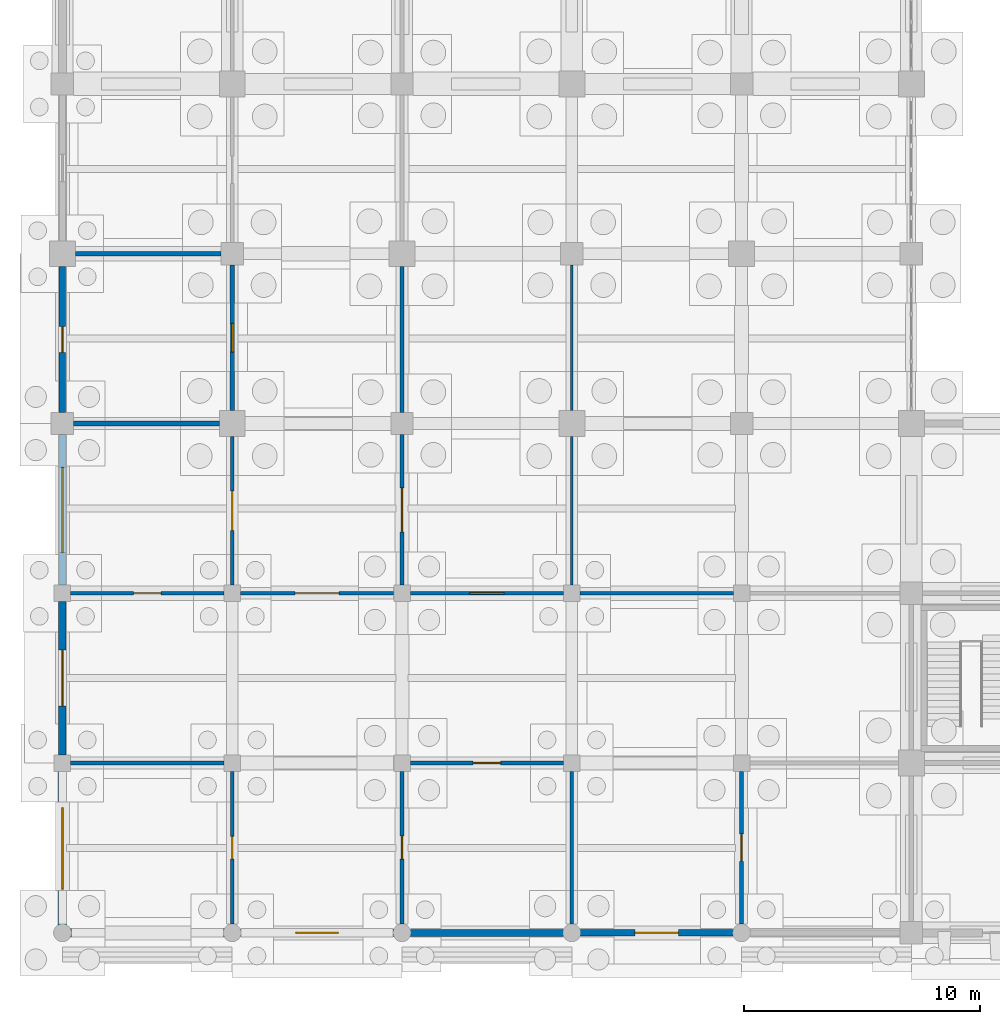
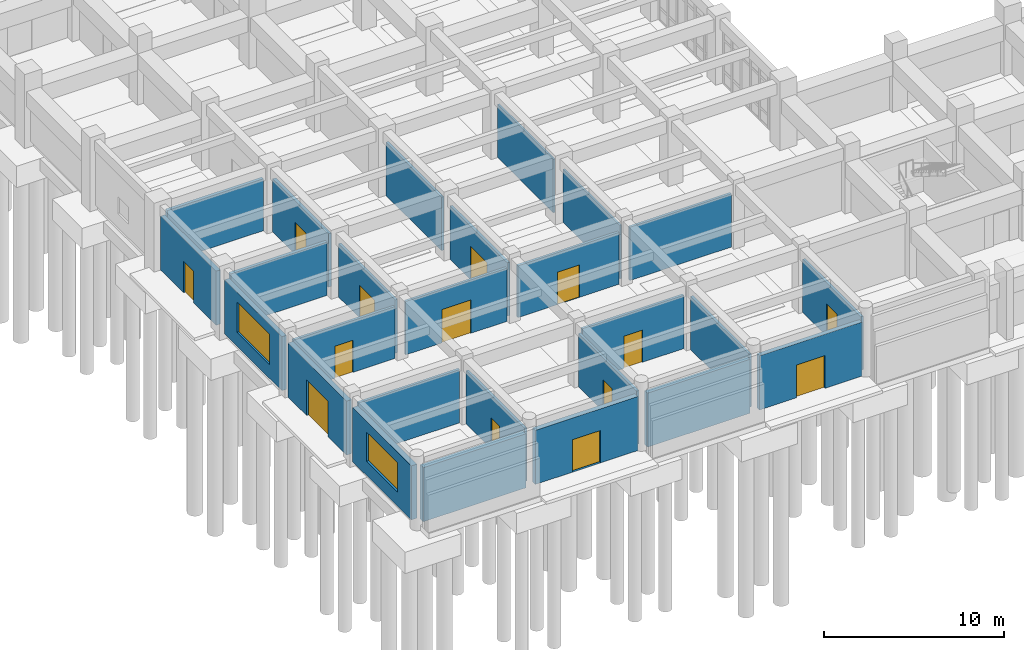
# One storey, part 56 of 79: 26 walls, 14 doors, 2 windows, 16 openings.
"""IFC4 building model written with IfcOpenShell, lengths in metres."""

from ifc_helpers import new_model, si_unit, direction, frame, frame_2d, origin, place, context, subcontext, project, spatial, rectangle, extrude, material, layer, layer_set, type_object, element, fill, save


model = new_model("IFC4")

# Units and contexts
model_context = context("Model", 3, precision=1e-05, world=origin(), true_north=direction((0.0, 1.0)))
body_context = subcontext(model_context, "Body", "Model", "MODEL_VIEW")
ifc_project = project(units=[si_unit("LENGTHUNIT", "METRE"), si_unit("AREAUNIT", "SQUARE_METRE"), si_unit("VOLUMEUNIT", "CUBIC_METRE"), si_unit("PLANEANGLEUNIT", "RADIAN"), si_unit("MASSUNIT", "GRAM", prefix="KILO")], contexts=[model_context])

# Site, building, storey
site_placement = place(None, origin())
site = spatial("IfcSite", under=ifc_project, at=site_placement, CompositionType="ELEMENT")
building_placement = place(site_placement, origin())
building = spatial("IfcBuilding", under=site, at=building_placement, Name="Kavelor Marine Aquarium", CompositionType="ELEMENT")
storey_placement = place(building_placement, origin())
storey = spatial("IfcBuildingStorey", under=building, at=storey_placement, Name="L00", CompositionType="ELEMENT", Elevation=0.0)

# Wall
ifc_material_1 = material(Name="Concrete C45/55", Category="concrete")
ifc_layer_1 = layer(ifc_material_1, 0.360107421875)
ifc_layer_set_1 = layer_set([ifc_layer_1], Name="WL-EX1")
wall_type_1 = type_object("IfcWallType", Name="WL-EX1", PredefinedType="STANDARD", material=ifc_layer_set_1)
wall_1_placement = place(storey_placement, frame((10.090087890625, 2.800048828125, 0.0), z_axis=(0.0, 0.0, 1.0), x_axis=(-1.0, 0.0, 0.0)))
element("IfcWall", 1, at=wall_1_placement, inside=storey, type_object=wall_type_1, Name="ew:x:L00:00_00", PredefinedType="STANDARD", context=body_context, shape_type="SweptSolid", body=[
    extrude(rectangle(XDim=6.580078125, YDim=0.360107421875, at=frame_2d((3.2900390625, 0.0))), origin(), (0.0, 0.0, 1.0), 3.669921875),
])

# Wall, opening, window
wall_2_placement = place(storey_placement, frame((3.199951171875, 3.110107421875, 0.0), z_axis=(0.0, 0.0, 1.0), x_axis=(0.0, 1.0, 0.0)))
wall_2 = element("IfcWall", 2, at=wall_2_placement, inside=storey, type_object=wall_type_1, Name="ew:y:L00:00_00", PredefinedType="STANDARD", context=body_context, shape_type="SweptSolid", body=[
    extrude(rectangle(XDim=6.544921875, YDim=0.360107421875, at=frame_2d((3.2724609375, 0.0))), origin(), (0.0, 0.0, 1.0), 3.669921875),
])
opening_1_placement = place(wall_2_placement, frame((1.547607421875, 0.0, 0.949951171875)))
opening_1 = element("IfcOpeningElement", 3, at=opening_1_placement, cuts=wall_2, Name="Opening W23", PredefinedType="OPENING", context=body_context, shape_type="SweptSolid", body=[
    extrude(rectangle(XDim=3.449951171875, YDim=2.0, at=frame_2d((1.72509765625, 1.0))), frame((0.0, 0.18994140625, 0.0), z_axis=(0.0, -1.0, 0.0), x_axis=(1.0, 0.0, 0.0)), (0.0, 0.0, 1.0), 0.380107),
])
ifc_material_2 = material(Name="Anodised Aluminium Frame with Low-E Double Glazing", Category="aluminium")
window_type_1 = type_object("IfcWindowType", Name="WIN-W23", PartitioningType="DOUBLE_PANEL_VERTICAL", PredefinedType="WINDOW", material=ifc_material_2)
window_1_placement = place(opening_1_placement, origin())
window_1 = element("IfcWindow", 4, at=window_1_placement, inside=storey, type_object=window_type_1, Name="win:y:L00:00_00", OverallHeight=2.0, OverallWidth=3.449951171875, PartitioningType="SINGLE_PANEL", PredefinedType="WINDOW", context=body_context, shape_type="SweptSolid", body=[
    extrude(rectangle(XDim=3.449951171875, YDim=2.0, at=frame_2d((1.72509765625, 1.0))), frame((0.0, 0.030029296875, 0.0), z_axis=(0.0, -1.0, 0.0), x_axis=(1.0, 0.0, 0.0)), (0.0, 0.0, 1.0), 0.06005859375),
])
fill(opening_1, window_1)

# Wall, opening, door
ifc_material_3 = material(Name="Concrete C45/55", Category="concrete")
ifc_layer_2 = layer(ifc_material_3, 0.320068359375)
ifc_layer_set_2 = layer_set([ifc_layer_2], Name="WL-EX2")
wall_type_2 = type_object("IfcWallType", Name="WL-EX2", PredefinedType="STANDARD", material=ifc_layer_set_2)
wall_3_placement = place(storey_placement, frame((17.2900390625, 2.800048828125, 0.0), z_axis=(0.0, 0.0, 1.0), x_axis=(-1.0, 0.0, 0.0)))
wall_3 = element("IfcWall", 5, at=wall_3_placement, inside=storey, type_object=wall_type_2, Name="ew:x:L00:01_00", PredefinedType="STANDARD", context=body_context, shape_type="SweptSolid", body=[
    extrude(rectangle(XDim=6.580078125, YDim=0.320068359375, at=frame_2d((3.2900390625, 0.0))), origin(), (0.0, 0.0, 1.0), 3.669921875),
])
opening_2_placement = place(wall_3_placement, frame((2.389892578125, 0.0, 0.0)))
opening_2 = element("IfcOpeningElement", 6, at=opening_2_placement, cuts=wall_3, Name="Opening ED01", PredefinedType="OPENING", context=body_context, shape_type="SweptSolid", body=[
    extrude(rectangle(XDim=1.800048828125, YDim=2.199951171875, at=frame_2d((0.89990234375, 1.10009765625))), frame((0.0, 0.169921875, 0.0), z_axis=(0.0, -1.0, 0.0), x_axis=(1.0, 0.0, 0.0)), (0.0, 0.0, 1.0), 0.340068),
])
ifc_material_4 = material(Name="Marine-Grade Anodised Aluminium and Laminated Safety Glass", Category="aluminium")
door_type_1 = type_object("IfcDoorType", Name="DR-ED01", OperationType="NOTDEFINED", PredefinedType="DOOR", material=ifc_material_4)
door_1_placement = place(opening_2_placement, origin())
door_1 = element("IfcDoor", 7, at=door_1_placement, inside=storey, type_object=door_type_1, Name="Pedestrian Final Exit Door ED01", OperationType="DOUBLE_DOOR_SINGLE_SWING", OverallHeight=2.199951171875, OverallWidth=1.800048828125, PredefinedType="DOOR", context=body_context, shape_type="SweptSolid", body=[
    extrude(rectangle(XDim=1.800048828125, YDim=2.199951171875, at=frame_2d((0.89990234375, 1.10009765625))), frame((0.0, 0.02490234375, 0.0), z_axis=(0.0, -1.0, 0.0), x_axis=(1.0, 0.0, 0.0)), (0.0, 0.0, 1.0), 0.050048828125),
])
fill(opening_2, door_1)

wall_4_placement = place(storey_placement, frame((3.199951171875, 10.344970703125, 0.0), z_axis=(0.0, 0.0, 1.0), x_axis=(0.0, 1.0, 0.0)))
wall_4 = element("IfcWall", 8, at=wall_4_placement, inside=storey, type_object=wall_type_2, Name="ew:y:L00:00_01", PredefinedType="STANDARD", context=body_context, shape_type="SweptSolid", body=[
    extrude(rectangle(XDim=6.510009765625, YDim=0.320068359375, at=frame_2d((3.2548828125, 0.0))), origin(), (0.0, 0.0, 1.0), 3.669921875),
])
opening_3_placement = place(wall_4_placement, frame((2.06494140625, 0.0, 0.0)))
opening_3 = element("IfcOpeningElement", 9, at=opening_3_placement, cuts=wall_4, Name="Opening ED13", PredefinedType="OPENING", context=body_context, shape_type="SweptSolid", body=[
    extrude(rectangle(XDim=2.3798828125, YDim=2.419921875, at=frame_2d((1.18994140625, 1.2099609375))), frame((0.0, 0.169921875, 0.0), z_axis=(0.0, -1.0, 0.0), x_axis=(1.0, 0.0, 0.0)), (0.0, 0.0, 1.0), 0.340068),
])
ifc_material_5 = material(Name="Marine-Grade Anodised Aluminium and Laminated Safety Glass", Category="aluminium")
door_type_2 = type_object("IfcDoorType", Name="DR-ED13", OperationType="NOTDEFINED", PredefinedType="DOOR", material=ifc_material_5)
door_2_placement = place(opening_3_placement, origin())
door_2 = element("IfcDoor", 10, at=door_2_placement, inside=storey, type_object=door_type_2, Name="Pedestrian Final Exit Door ED13", OperationType="DOUBLE_DOOR_SINGLE_SWING", OverallHeight=2.419921875, OverallWidth=2.3798828125, PredefinedType="DOOR", context=body_context, shape_type="SweptSolid", body=[
    extrude(rectangle(XDim=2.3798828125, YDim=2.419921875, at=frame_2d((1.18994140625, 1.2099609375))), frame((0.0, 0.02490234375, 0.0), z_axis=(0.0, -1.0, 0.0), x_axis=(1.0, 0.0, 0.0)), (0.0, 0.0, 1.0), 0.050048828125),
])
fill(opening_3, door_2)

# Wall
ifc_material_6 = material(Name="Concrete C40/50", Category="concrete")
ifc_layer_3 = layer(ifc_material_6, 0.300048828125)
ifc_layer_set_3 = layer_set([ifc_layer_3], Name="WL-EX3")
wall_type_3 = type_object("IfcWallType", Name="WL-EX3", PredefinedType="STANDARD", material=ifc_layer_set_3)
wall_5_placement = place(storey_placement, frame((24.489990234375, 2.800048828125, 0.0), z_axis=(0.0, 0.0, 1.0), x_axis=(-1.0, 0.0, 0.0)))
element("IfcWall", 11, at=wall_5_placement, inside=storey, type_object=wall_type_3, Name="ew:x:L00:02_00", PredefinedType="STANDARD", context=body_context, shape_type="SweptSolid", body=[
    extrude(rectangle(XDim=6.580078125, YDim=0.300048828125, at=frame_2d((3.2900390625, 0.0))), origin(), (0.0, 0.0, 1.0), 3.669921875),
])

# Wall, opening, window
wall_6_placement = place(storey_placement, frame((3.199951171875, 17.544921875, 0.0), z_axis=(0.0, 0.0, 1.0), x_axis=(0.0, 1.0, 0.0)))
wall_6 = element("IfcWall", 12, at=wall_6_placement, inside=storey, type_object=wall_type_3, Name="ew:y:L00:00_02", PredefinedType="STANDARD", context=body_context, shape_type="SweptSolid", body=[
    extrude(rectangle(XDim=6.385009765625, YDim=0.300048828125, at=frame_2d((3.1923828125, 0.0))), origin(), (0.0, 0.0, 1.0), 3.669921875),
])
opening_4_placement = place(wall_6_placement, frame((1.392578125, 0.0, 0.949951171875)))
opening_4 = element("IfcOpeningElement", 13, at=opening_4_placement, cuts=wall_6, Name="Opening W24", PredefinedType="OPENING", context=body_context, shape_type="SweptSolid", body=[
    extrude(rectangle(XDim=3.60009765625, YDim=2.050048828125, at=frame_2d((1.800048828125, 1.02490234375))), frame((0.0, 0.159912109375, 0.0), z_axis=(0.0, -1.0, 0.0), x_axis=(1.0, 0.0, 0.0)), (0.0, 0.0, 1.0), 0.320049),
])
ifc_material_7 = material(Name="Anodised Aluminium Frame with Low-E Double Glazing", Category="aluminium")
window_type_2 = type_object("IfcWindowType", Name="WIN-W24", PartitioningType="DOUBLE_PANEL_VERTICAL", PredefinedType="WINDOW", material=ifc_material_7)
window_2_placement = place(opening_4_placement, origin())
window_2 = element("IfcWindow", 14, at=window_2_placement, inside=storey, type_object=window_type_2, Name="win:y:L00:00_02", OverallHeight=2.050048828125, OverallWidth=3.60009765625, PartitioningType="SINGLE_PANEL", PredefinedType="WINDOW", context=body_context, shape_type="SweptSolid", body=[
    extrude(rectangle(XDim=3.60009765625, YDim=2.050048828125, at=frame_2d((1.800048828125, 1.02490234375))), frame((0.0, 0.030029296875, 0.0), z_axis=(0.0, -1.0, 0.0), x_axis=(1.0, 0.0, 0.0)), (0.0, 0.0, 1.0), 0.06005859375),
])
fill(opening_4, window_2)

# Wall, opening, door
ifc_material_8 = material(Name="Concrete C40/50", Category="concrete")
ifc_layer_4 = layer(ifc_material_8, 0.280029296875)
ifc_layer_set_4 = layer_set([ifc_layer_4], Name="WL-EX4")
wall_type_4 = type_object("IfcWallType", Name="WL-EX4", PredefinedType="STANDARD", material=ifc_layer_set_4)
wall_7_placement = place(storey_placement, frame((31.68994140625, 2.800048828125, 0.0), z_axis=(0.0, 0.0, 1.0), x_axis=(-1.0, 0.0, 0.0)))
wall_7 = element("IfcWall", 15, at=wall_7_placement, inside=storey, type_object=wall_type_4, Name="ew:x:L00:03_00", PredefinedType="STANDARD", context=body_context, shape_type="SweptSolid", body=[
    extrude(rectangle(XDim=6.579833984375, YDim=0.280029296875, at=frame_2d((3.2900390625, 0.0))), origin(), (0.0, 0.0, 1.0), 3.669921875),
])
opening_5_placement = place(wall_7_placement, frame((2.3701171875, 0.0, 0.0)))
opening_5 = element("IfcOpeningElement", 16, at=opening_5_placement, cuts=wall_7, Name="Opening ED02", PredefinedType="OPENING", context=body_context, shape_type="SweptSolid", body=[
    extrude(rectangle(XDim=1.840087890625, YDim=2.219970703125, at=frame_2d((0.919921875, 1.10986328125))), frame((0.0, 0.14990234375, 0.0), z_axis=(0.0, -1.0, 0.0), x_axis=(1.0, 0.0, 0.0)), (0.0, 0.0, 1.0), 0.300029),
])
ifc_material_9 = material(Name="Marine-Grade Anodised Aluminium and Laminated Safety Glass", Category="aluminium")
door_type_3 = type_object("IfcDoorType", Name="DR-ED02", OperationType="NOTDEFINED", PredefinedType="DOOR", material=ifc_material_9)
door_3_placement = place(opening_5_placement, origin())
door_3 = element("IfcDoor", 17, at=door_3_placement, inside=storey, type_object=door_type_3, Name="Pedestrian Final Exit Door ED02", OperationType="DOUBLE_DOOR_SINGLE_SWING", OverallHeight=2.219970703125, OverallWidth=1.840087890625, PredefinedType="DOOR", context=body_context, shape_type="SweptSolid", body=[
    extrude(rectangle(XDim=1.840087890625, YDim=2.219970703125, at=frame_2d((0.919921875, 1.10986328125))), frame((0.0, 0.02490234375, 0.0), z_axis=(0.0, -1.0, 0.0), x_axis=(1.0, 0.0, 0.0)), (0.0, 0.0, 1.0), 0.050048828125),
])
fill(opening_5, door_3)

wall_8_placement = place(storey_placement, frame((3.199951171875, 24.8701171875, 0.0), z_axis=(0.0, 0.0, 1.0), x_axis=(0.0, 1.0, 0.0)))
wall_8 = element("IfcWall", 18, at=wall_8_placement, inside=storey, type_object=wall_type_4, Name="ew:y:L00:00_03", PredefinedType="STANDARD", context=body_context, shape_type="SweptSolid", body=[
    extrude(rectangle(XDim=6.184814453125, YDim=0.280029296875, at=frame_2d((3.09228515625, 0.0))), origin(), (0.0, 0.0, 1.0), 3.669921875),
])
opening_6_placement = place(wall_8_placement, frame((2.54248046875, 0.0, 0.0)))
opening_6 = element("IfcOpeningElement", 19, at=opening_6_placement, cuts=wall_8, Name="Opening FD2", PredefinedType="OPENING", context=body_context, shape_type="SweptSolid", body=[
    extrude(rectangle(XDim=1.10009765625, YDim=2.14990234375, at=frame_2d((0.550048828125, 1.074951171875))), frame((0.0, 0.14990234375, 0.0), z_axis=(0.0, -1.0, 0.0), x_axis=(1.0, 0.0, 0.0)), (0.0, 0.0, 1.0), 0.300029),
])
ifc_material_10 = material(Name="Marine-Grade Anodised Aluminium and Laminated Safety Glass", Category="aluminium")
door_type_4 = type_object("IfcDoorType", Name="DR-FC1", OperationType="NOTDEFINED", PredefinedType="DOOR", material=ifc_material_10)
door_4_placement = place(opening_6_placement, origin())
door_4 = element("IfcDoor", 20, at=door_4_placement, inside=storey, type_object=door_type_4, Name="Fire Command Centre Exterior Door FD2", OperationType="SINGLE_SWING_LEFT", OverallHeight=2.14990234375, OverallWidth=1.10009765625, PredefinedType="DOOR", context=body_context, shape_type="SweptSolid", body=[
    extrude(rectangle(XDim=1.10009765625, YDim=2.14990234375, at=frame_2d((0.550048828125, 1.074951171875))), frame((0.0, 0.02490234375, 0.0), z_axis=(0.0, -1.0, 0.0), x_axis=(1.0, 0.0, 0.0)), (0.0, 0.0, 1.0), 0.050048828125),
])
fill(opening_6, door_4)

# Wall
ifc_material_11 = material(Name="Concrete Blockwork Partition", Category="masonry")
ifc_layer_5 = layer(ifc_material_11, 0.199951171875)
ifc_layer_set_5 = layer_set([ifc_layer_5], Name="WL-PT1")
wall_type_5 = type_object("IfcWallType", Name="WL-PT1", PredefinedType="PARTITIONING", material=ifc_layer_set_5)
wall_9_placement = place(storey_placement, frame((3.675048828125, 24.39990234375, 0.0), z_axis=(0.0, 0.0, 1.0), x_axis=(1.0, 0.0, 0.0)))
element("IfcWall", 21, at=wall_9_placement, inside=storey, type_object=wall_type_5, Name="pt:x:L00:00_02", PredefinedType="PARTITIONING", context=body_context, shape_type="SweptSolid", body=[
    extrude(rectangle(XDim=6.175048828125, YDim=0.199951171875, at=frame_2d((3.08740234375, 0.0))), origin(), (0.0, 0.0, 1.0), 3.6201171875),
])

# Wall, opening, door
wall_10_placement = place(storey_placement, frame((10.39990234375, 24.949951171875, 0.0), z_axis=(0.0, 0.0, 1.0), x_axis=(0.0, 1.0, 0.0)))
wall_10 = element("IfcWall", 22, at=wall_10_placement, inside=storey, type_object=wall_type_5, Name="pt:y:L00:00_03", PredefinedType="PARTITIONING", context=body_context, shape_type="SweptSolid", body=[
    extrude(rectangle(XDim=6.175048828125, YDim=0.199951171875, at=frame_2d((3.08740234375, 0.0))), origin(), (0.0, 0.0, 1.0), 3.6201171875),
])
opening_7_placement = place(wall_10_placement, frame((2.4775390625, 0.0, 0.0)))
opening_7 = element("IfcOpeningElement", 23, at=opening_7_placement, cuts=wall_10, Name="Opening D06", PredefinedType="OPENING", context=body_context, shape_type="SweptSolid", body=[
    extrude(rectangle(XDim=1.219970703125, YDim=2.159912109375, at=frame_2d((0.60986328125, 1.080078125))), frame((0.0, 0.10986328125, 0.0), z_axis=(0.0, -1.0, 0.0), x_axis=(1.0, 0.0, 0.0)), (0.0, 0.0, 1.0), 0.219951),
])
ifc_material_12 = material(Name="Biosecure Quarantine Plant Room Door")
door_type_5 = type_object("IfcDoorType", Name="DR-D06", OperationType="NOTDEFINED", PredefinedType="DOOR", material=ifc_material_12)
door_5_placement = place(opening_7_placement, origin())
door_5 = element("IfcDoor", 24, at=door_5_placement, inside=storey, type_object=door_type_5, Name="dr:rm:pt:y:L00:00_03:0", OperationType="SINGLE_SWING_RIGHT", OverallHeight=2.159912109375, OverallWidth=1.219970703125, PredefinedType="DOOR", context=body_context, shape_type="SweptSolid", body=[
    extrude(rectangle(XDim=1.219970703125, YDim=2.159912109375, at=frame_2d((0.60986328125, 1.080078125))), frame((0.0, 0.02490234375, 0.0), z_axis=(0.0, -1.0, 0.0), x_axis=(1.0, 0.0, 0.0)), (0.0, 0.0, 1.0), 0.050048828125),
])
fill(opening_7, door_5)

# Wall
wall_11_placement = place(storey_placement, frame((3.75, 31.60009765625, 0.0), z_axis=(0.0, 0.0, 1.0), x_axis=(1.0, 0.0, 0.0)))
element("IfcWall", 25, at=wall_11_placement, inside=storey, type_object=wall_type_5, Name="pt:x:L00:00_03", PredefinedType="PARTITIONING", context=body_context, shape_type="SweptSolid", body=[
    extrude(rectangle(XDim=6.175048828125, YDim=0.199951171875, at=frame_2d((3.08740234375, 0.0))), origin(), (0.0, 0.0, 1.0), 3.52001953125),
])

# Wall, opening, door
ifc_material_13 = material(Name="Acoustic Gypsum Stud Partition")
ifc_layer_6 = layer(ifc_material_13, 0.159912109375)
ifc_layer_set_6 = layer_set([ifc_layer_6], Name="WL-PT2")
wall_type_6 = type_object("IfcWallType", Name="WL-PT2", PredefinedType="PARTITIONING", material=ifc_layer_set_6)
wall_12_placement = place(storey_placement, frame((10.39990234375, 3.175048828125, 0.0), z_axis=(0.0, 0.0, 1.0), x_axis=(0.0, 1.0, 0.0)))
wall_12 = element("IfcWall", 26, at=wall_12_placement, inside=storey, type_object=wall_type_6, Name="pt:y:L00:00_00", PredefinedType="PARTITIONING", context=body_context, shape_type="SweptSolid", body=[
    extrude(rectangle(XDim=6.474853515625, YDim=0.159912109375, at=frame_2d((3.2373046875, 0.0))), origin(), (0.0, 0.0, 1.0), 3.6201171875),
])
opening_8_placement = place(wall_12_placement, frame((2.757568359375, 0.0, 0.0)))
opening_8 = element("IfcOpeningElement", 27, at=opening_8_placement, cuts=wall_12, Name="Opening D01", PredefinedType="OPENING", context=body_context, shape_type="SweptSolid", body=[
    extrude(rectangle(XDim=0.9599609375, YDim=2.10009765625, at=frame_2d((0.47998046875, 1.050048828125))), frame((0.0, 0.08984375, 0.0), z_axis=(0.0, -1.0, 0.0), x_axis=(1.0, 0.0, 0.0)), (0.0, 0.0, 1.0), 0.179912),
])
ifc_material_14 = material(Name="Solid-Core Acoustic Timber Laboratory Door", Category="wood")
door_type_6 = type_object("IfcDoorType", Name="DR-D01", OperationType="NOTDEFINED", PredefinedType="DOOR", material=ifc_material_14)
door_6_placement = place(opening_8_placement, origin())
door_6 = element("IfcDoor", 28, at=door_6_placement, inside=storey, type_object=door_type_6, Name="dr:rm:pt:y:L00:00_00:0", OperationType="SINGLE_SWING_LEFT", OverallHeight=2.10009765625, OverallWidth=0.9599609375, PredefinedType="DOOR", context=body_context, shape_type="SweptSolid", body=[
    extrude(rectangle(XDim=0.9599609375, YDim=2.10009765625, at=frame_2d((0.47998046875, 1.050048828125))), frame((0.0, 0.02490234375, 0.0), z_axis=(0.0, -1.0, 0.0), x_axis=(1.0, 0.0, 0.0)), (0.0, 0.0, 1.0), 0.050048828125),
])
fill(opening_8, door_6)

# Wall
wall_13_placement = place(storey_placement, frame((3.550048828125, 10.0, 0.0), z_axis=(0.0, 0.0, 1.0), x_axis=(1.0, 0.0, 0.0)))
element("IfcWall", 29, at=wall_13_placement, inside=storey, type_object=wall_type_6, Name="pt:x:L00:00_00", PredefinedType="PARTITIONING", context=body_context, shape_type="SweptSolid", body=[
    extrude(rectangle(XDim=6.5, YDim=0.159912109375, at=frame_2d((3.25, 0.0))), origin(), (0.0, 0.0, 1.0), 3.6201171875),
])

# Wall, opening, door
wall_14_placement = place(storey_placement, frame((3.550048828125, 17.199951171875, 0.0), z_axis=(0.0, 0.0, 1.0), x_axis=(1.0, 0.0, 0.0)))
wall_14 = element("IfcWall", 30, at=wall_14_placement, inside=storey, type_object=wall_type_6, Name="pt:x:L00:00_01", PredefinedType="PARTITIONING", context=body_context, shape_type="SweptSolid", body=[
    extrude(rectangle(XDim=6.5, YDim=0.159912109375, at=frame_2d((3.25, 0.0))), origin(), (0.0, 0.0, 1.0), 3.52001953125),
])
opening_9_placement = place(wall_14_placement, frame((2.669921875, 0.0, 0.0)))
opening_9 = element("IfcOpeningElement", 31, at=opening_9_placement, cuts=wall_14, Name="Opening D09", PredefinedType="OPENING", context=body_context, shape_type="SweptSolid", body=[
    extrude(rectangle(XDim=1.159912109375, YDim=2.179931640625, at=frame_2d((0.580078125, 1.08984375))), frame((0.0, 0.08984375, 0.0), z_axis=(0.0, -1.0, 0.0), x_axis=(1.0, 0.0, 0.0)), (0.0, 0.0, 1.0), 0.179912),
])
ifc_material_15 = material(Name="Husbandry Prep Marine Door")
door_type_7 = type_object("IfcDoorType", Name="DR-D09", OperationType="NOTDEFINED", PredefinedType="DOOR", material=ifc_material_15)
door_7_placement = place(opening_9_placement, origin())
door_7 = element("IfcDoor", 32, at=door_7_placement, inside=storey, type_object=door_type_7, Name="dr:rm:pt:x:L00:00_01:0", OperationType="SINGLE_SWING_RIGHT", OverallHeight=2.179931640625, OverallWidth=1.159912109375, PredefinedType="DOOR", context=body_context, shape_type="SweptSolid", body=[
    extrude(rectangle(XDim=1.159912109375, YDim=2.179931640625, at=frame_2d((0.580078125, 1.08984375))), frame((0.0, 0.02490234375, 0.0), z_axis=(0.0, -1.0, 0.0), x_axis=(1.0, 0.0, 0.0)), (0.0, 0.0, 1.0), 0.050048828125),
])
fill(opening_9, door_7)

wall_15_placement = place(storey_placement, frame((10.39990234375, 17.550048828125, 0.0), z_axis=(0.0, 0.0, 1.0), x_axis=(0.0, 1.0, 0.0)))
wall_15 = element("IfcWall", 33, at=wall_15_placement, inside=storey, type_object=wall_type_6, Name="pt:y:L00:00_02", PredefinedType="PARTITIONING", context=body_context, shape_type="SweptSolid", body=[
    extrude(rectangle(XDim=6.300048828125, YDim=0.159912109375, at=frame_2d((3.14990234375, 0.0))), origin(), (0.0, 0.0, 1.0), 3.6201171875),
])
opening_10_placement = place(wall_15_placement, frame((2.320068359375, 0.0, 0.0)))
opening_10 = element("IfcOpeningElement", 34, at=opening_10_placement, cuts=wall_15, Name="Opening D12", PredefinedType="OPENING", context=body_context, shape_type="SweptSolid", body=[
    extrude(rectangle(XDim=1.659912109375, YDim=2.219970703125, at=frame_2d((0.830078125, 1.10986328125))), frame((0.0, 0.08984375, 0.0), z_axis=(0.0, -1.0, 0.0), x_axis=(1.0, 0.0, 0.0)), (0.0, 0.0, 1.0), 0.179912),
])
ifc_material_16 = material(Name="Amphitheatre Vestibule Double Door")
door_type_8 = type_object("IfcDoorType", Name="DR-D12", OperationType="NOTDEFINED", PredefinedType="DOOR", material=ifc_material_16)
door_8_placement = place(opening_10_placement, origin())
door_8 = element("IfcDoor", 35, at=door_8_placement, inside=storey, type_object=door_type_8, Name="dr:rm:pt:y:L00:00_02:0", OperationType="DOUBLE_DOOR_SINGLE_SWING", OverallHeight=2.219970703125, OverallWidth=1.659912109375, PredefinedType="DOOR", context=body_context, shape_type="SweptSolid", body=[
    extrude(rectangle(XDim=1.659912109375, YDim=2.219970703125, at=frame_2d((0.830078125, 1.10986328125))), frame((0.0, 0.02490234375, 0.0), z_axis=(0.0, -1.0, 0.0), x_axis=(1.0, 0.0, 0.0)), (0.0, 0.0, 1.0), 0.050048828125),
])
fill(opening_10, door_8)

wall_16_placement = place(storey_placement, frame((17.60009765625, 3.175048828125, 0.0), z_axis=(0.0, 0.0, 1.0), x_axis=(0.0, 1.0, 0.0)))
wall_16 = element("IfcWall", 36, at=wall_16_placement, inside=storey, type_object=wall_type_6, Name="pt:y:L00:01_00", PredefinedType="PARTITIONING", context=body_context, shape_type="SweptSolid", body=[
    extrude(rectangle(XDim=6.474853515625, YDim=0.159912109375, at=frame_2d((3.2373046875, 0.0))), origin(), (0.0, 0.0, 1.0), 3.6201171875),
])
opening_11_placement = place(wall_16_placement, frame((2.74755859375, 0.0, 0.0)))
opening_11 = element("IfcOpeningElement", 37, at=opening_11_placement, cuts=wall_16, Name="Opening D07", PredefinedType="OPENING", context=body_context, shape_type="SweptSolid", body=[
    extrude(rectangle(XDim=0.97998046875, YDim=2.1201171875, at=frame_2d((0.489990234375, 1.06005859375))), frame((0.0, 0.08984375, 0.0), z_axis=(0.0, -1.0, 0.0), x_axis=(1.0, 0.0, 0.0)), (0.0, 0.0, 1.0), 0.179912),
])
ifc_material_17 = material(Name="Research Write-Up Timber Door", Category="wood")
door_type_9 = type_object("IfcDoorType", Name="DR-D07", OperationType="NOTDEFINED", PredefinedType="DOOR", material=ifc_material_17)
door_9_placement = place(opening_11_placement, origin())
door_9 = element("IfcDoor", 38, at=door_9_placement, inside=storey, type_object=door_type_9, Name="dr:rm:pt:y:L00:01_00:0", OperationType="SINGLE_SWING_LEFT", OverallHeight=2.1201171875, OverallWidth=0.97998046875, PredefinedType="DOOR", context=body_context, shape_type="SweptSolid", body=[
    extrude(rectangle(XDim=0.97998046875, YDim=2.1201171875, at=frame_2d((0.489990234375, 1.06005859375))), frame((0.0, 0.02490234375, 0.0), z_axis=(0.0, -1.0, 0.0), x_axis=(1.0, 0.0, 0.0)), (0.0, 0.0, 1.0), 0.050048828125),
])
fill(opening_11, door_9)

wall_17_placement = place(storey_placement, frame((10.75, 17.199951171875, 0.0), z_axis=(0.0, 0.0, 1.0), x_axis=(1.0, 0.0, 0.0)))
wall_17 = element("IfcWall", 39, at=wall_17_placement, inside=storey, type_object=wall_type_6, Name="pt:x:L00:01_01", PredefinedType="PARTITIONING", context=body_context, shape_type="SweptSolid", body=[
    extrude(rectangle(XDim=6.5, YDim=0.159912109375, at=frame_2d((3.25, 0.0))), origin(), (0.0, 0.0, 1.0), 3.6201171875),
])
opening_12_placement = place(wall_17_placement, frame((2.320068359375, 0.0, 0.0)))
opening_12 = element("IfcOpeningElement", 40, at=opening_12_placement, cuts=wall_17, Name="Opening D13", PredefinedType="OPENING", context=body_context, shape_type="SweptSolid", body=[
    extrude(rectangle(XDim=1.860107421875, YDim=2.260009765625, at=frame_2d((0.93017578125, 1.1298828125))), frame((0.0, 0.08984375, 0.0), z_axis=(0.0, -1.0, 0.0), x_axis=(1.0, 0.0, 0.0)), (0.0, 0.0, 1.0), 0.179912),
])
ifc_material_18 = material(Name="Main Foyer Exhibition Double Door")
door_type_10 = type_object("IfcDoorType", Name="DR-D13", OperationType="NOTDEFINED", PredefinedType="DOOR", material=ifc_material_18)
door_10_placement = place(opening_12_placement, origin())
door_10 = element("IfcDoor", 41, at=door_10_placement, inside=storey, type_object=door_type_10, Name="dr:rm:pt:x:L00:01_01:0", OperationType="DOUBLE_DOOR_SINGLE_SWING", OverallHeight=2.260009765625, OverallWidth=1.860107421875, PredefinedType="DOOR", context=body_context, shape_type="SweptSolid", body=[
    extrude(rectangle(XDim=1.860107421875, YDim=2.260009765625, at=frame_2d((0.93017578125, 1.1298828125))), frame((0.0, 0.02490234375, 0.0), z_axis=(0.0, -1.0, 0.0), x_axis=(1.0, 0.0, 0.0)), (0.0, 0.0, 1.0), 0.050048828125),
])
fill(opening_12, door_10)

wall_18_placement = place(storey_placement, frame((17.60009765625, 17.550048828125, 0.0), z_axis=(0.0, 0.0, 1.0), x_axis=(0.0, 1.0, 0.0)))
wall_18 = element("IfcWall", 42, at=wall_18_placement, inside=storey, type_object=wall_type_6, Name="pt:y:L00:01_02", PredefinedType="PARTITIONING", context=body_context, shape_type="SweptSolid", body=[
    extrude(rectangle(XDim=6.375, YDim=0.159912109375, at=frame_2d((3.1875, 0.0))), origin(), (0.0, 0.0, 1.0), 3.6201171875),
])
opening_13_placement = place(wall_18_placement, frame((2.257568359375, 0.0, 0.0)))
opening_13 = element("IfcOpeningElement", 43, at=opening_13_placement, cuts=wall_18, Name="Opening D13", PredefinedType="OPENING", context=body_context, shape_type="SweptSolid", body=[
    extrude(rectangle(XDim=1.860107421875, YDim=2.260009765625, at=frame_2d((0.93017578125, 1.1298828125))), frame((0.0, 0.08984375, 0.0), z_axis=(0.0, -1.0, 0.0), x_axis=(1.0, 0.0, 0.0)), (0.0, 0.0, 1.0), 0.179912),
])
door_11_placement = place(opening_13_placement, origin())
door_11 = element("IfcDoor", 44, at=door_11_placement, inside=storey, type_object=door_type_10, Name="dr:rm:pt:y:L00:01_02:0", OperationType="DOUBLE_DOOR_SINGLE_SWING", OverallHeight=2.260009765625, OverallWidth=1.860107421875, PredefinedType="DOOR", context=body_context, shape_type="SweptSolid", body=[
    extrude(rectangle(XDim=1.860107421875, YDim=2.260009765625, at=frame_2d((0.93017578125, 1.1298828125))), frame((0.0, 0.02490234375, 0.0), z_axis=(0.0, -1.0, 0.0), x_axis=(1.0, 0.0, 0.0)), (0.0, 0.0, 1.0), 0.050048828125),
])
fill(opening_13, door_11)

# Walls
wall_19_placement = place(storey_placement, frame((17.60009765625, 24.875, 0.0), z_axis=(0.0, 0.0, 1.0), x_axis=(0.0, 1.0, 0.0)))
element("IfcWall", 45, at=wall_19_placement, inside=storey, type_object=wall_type_6, Name="pt:y:L00:01_03", PredefinedType="PARTITIONING", context=body_context, shape_type="SweptSolid", body=[
    extrude(rectangle(XDim=6.175048828125, YDim=0.159912109375, at=frame_2d((3.08740234375, 0.0))), origin(), (0.0, 0.0, 1.0), 3.6201171875),
])
wall_20_placement = place(storey_placement, frame((24.800048828125, 3.175048828125, 0.0), z_axis=(0.0, 0.0, 1.0), x_axis=(0.0, 1.0, 0.0)))
element("IfcWall", 46, at=wall_20_placement, inside=storey, type_object=wall_type_6, Name="pt:y:L00:02_00", PredefinedType="PARTITIONING", context=body_context, shape_type="SweptSolid", body=[
    extrude(rectangle(XDim=6.474853515625, YDim=0.159912109375, at=frame_2d((3.2373046875, 0.0))), origin(), (0.0, 0.0, 1.0), 3.6201171875),
])

# Wall, opening, door
wall_21_placement = place(storey_placement, frame((17.949951171875, 10.0, 0.0), z_axis=(0.0, 0.0, 1.0), x_axis=(1.0, 0.0, 0.0)))
wall_21 = element("IfcWall", 47, at=wall_21_placement, inside=storey, type_object=wall_type_6, Name="pt:x:L00:02_00", PredefinedType="PARTITIONING", context=body_context, shape_type="SweptSolid", body=[
    extrude(rectangle(XDim=6.5, YDim=0.159912109375, at=frame_2d((3.25, 0.0))), origin(), (0.0, 0.0, 1.0), 3.6201171875),
])
opening_14_placement = place(wall_21_placement, frame((2.669921875, 0.0, 0.0)))
opening_14 = element("IfcOpeningElement", 48, at=opening_14_placement, cuts=wall_21, Name="Opening D09", PredefinedType="OPENING", context=body_context, shape_type="SweptSolid", body=[
    extrude(rectangle(XDim=1.159912109375, YDim=2.179931640625, at=frame_2d((0.580078125, 1.08984375))), frame((0.0, 0.08984375, 0.0), z_axis=(0.0, -1.0, 0.0), x_axis=(1.0, 0.0, 0.0)), (0.0, 0.0, 1.0), 0.179912),
])
door_12_placement = place(opening_14_placement, origin())
door_12 = element("IfcDoor", 49, at=door_12_placement, inside=storey, type_object=door_type_7, Name="dr:rm:pt:x:L00:02_00:1", OperationType="SINGLE_SWING_RIGHT", OverallHeight=2.179931640625, OverallWidth=1.159912109375, PredefinedType="DOOR", context=body_context, shape_type="SweptSolid", body=[
    extrude(rectangle(XDim=1.159912109375, YDim=2.179931640625, at=frame_2d((0.580078125, 1.08984375))), frame((0.0, 0.02490234375, 0.0), z_axis=(0.0, -1.0, 0.0), x_axis=(1.0, 0.0, 0.0)), (0.0, 0.0, 1.0), 0.050048828125),
])
fill(opening_14, door_12)

wall_22_placement = place(storey_placement, frame((17.949951171875, 17.199951171875, 0.0), z_axis=(0.0, 0.0, 1.0), x_axis=(1.0, 0.0, 0.0)))
wall_22 = element("IfcWall", 50, at=wall_22_placement, inside=storey, type_object=wall_type_6, Name="pt:x:L00:02_01", PredefinedType="PARTITIONING", context=body_context, shape_type="SweptSolid", body=[
    extrude(rectangle(XDim=6.5, YDim=0.159912109375, at=frame_2d((3.25, 0.0))), origin(), (0.0, 0.0, 1.0), 3.52001953125),
])
opening_15_placement = place(wall_22_placement, frame((2.530029296875, 0.0, 0.0)))
opening_15 = element("IfcOpeningElement", 51, at=opening_15_placement, cuts=wall_22, Name="Opening D11", PredefinedType="OPENING", context=body_context, shape_type="SweptSolid", body=[
    extrude(rectangle(XDim=1.43994140625, YDim=2.199951171875, at=frame_2d((0.719970703125, 1.10009765625))), frame((0.0, 0.08984375, 0.0), z_axis=(0.0, -1.0, 0.0), x_axis=(1.0, 0.0, 0.0)), (0.0, 0.0, 1.0), 0.179912),
])
ifc_material_19 = material(Name="Seminar Studio Double Door")
door_type_11 = type_object("IfcDoorType", Name="DR-D11", OperationType="NOTDEFINED", PredefinedType="DOOR", material=ifc_material_19)
door_13_placement = place(opening_15_placement, origin())
door_13 = element("IfcDoor", 52, at=door_13_placement, inside=storey, type_object=door_type_11, Name="dr:rm:pt:x:L00:02_01:0", OperationType="DOUBLE_DOOR_SINGLE_SWING", OverallHeight=2.199951171875, OverallWidth=1.43994140625, PredefinedType="DOOR", context=body_context, shape_type="SweptSolid", body=[
    extrude(rectangle(XDim=1.43994140625, YDim=2.199951171875, at=frame_2d((0.719970703125, 1.10009765625))), frame((0.0, 0.02490234375, 0.0), z_axis=(0.0, -1.0, 0.0), x_axis=(1.0, 0.0, 0.0)), (0.0, 0.0, 1.0), 0.050048828125),
])
fill(opening_15, door_13)

wall_23_placement = place(storey_placement, frame((32.0, 3.175048828125, 0.0), z_axis=(0.0, 0.0, 1.0), x_axis=(0.0, 1.0, 0.0)))
wall_23 = element("IfcWall", 53, at=wall_23_placement, inside=storey, type_object=wall_type_6, Name="pt:y:L00:03_00", PredefinedType="PARTITIONING", context=body_context, shape_type="SweptSolid", body=[
    extrude(rectangle(XDim=6.474853515625, YDim=0.159912109375, at=frame_2d((3.2373046875, 0.0))), origin(), (0.0, 0.0, 1.0), 3.6201171875),
])
opening_16_placement = place(wall_23_placement, frame((2.657470703125, 0.0, 0.0)))
opening_16 = element("IfcOpeningElement", 54, at=opening_16_placement, cuts=wall_23, Name="Opening D09", PredefinedType="OPENING", context=body_context, shape_type="SweptSolid", body=[
    extrude(rectangle(XDim=1.159912109375, YDim=2.179931640625, at=frame_2d((0.580078125, 1.08984375))), frame((0.0, 0.08984375, 0.0), z_axis=(0.0, -1.0, 0.0), x_axis=(1.0, 0.0, 0.0)), (0.0, 0.0, 1.0), 0.179912),
])
door_14_placement = place(opening_16_placement, origin())
door_14 = element("IfcDoor", 55, at=door_14_placement, inside=storey, type_object=door_type_7, Name="dr:rm:pt:y:L00:03_00:0", OperationType="SINGLE_SWING_LEFT", OverallHeight=2.179931640625, OverallWidth=1.159912109375, PredefinedType="DOOR", context=body_context, shape_type="SweptSolid", body=[
    extrude(rectangle(XDim=1.159912109375, YDim=2.179931640625, at=frame_2d((0.580078125, 1.08984375))), frame((0.0, 0.02490234375, 0.0), z_axis=(0.0, -1.0, 0.0), x_axis=(1.0, 0.0, 0.0)), (0.0, 0.0, 1.0), 0.050048828125),
])
fill(opening_16, door_14)

# Walls
wall_24_placement = place(storey_placement, frame((25.14990234375, 17.199951171875, 0.0), z_axis=(0.0, 0.0, 1.0), x_axis=(1.0, 0.0, 0.0)))
element("IfcWall", 56, at=wall_24_placement, inside=storey, type_object=wall_type_6, Name="pt:x:L00:03_01", PredefinedType="PARTITIONING", context=body_context, shape_type="SweptSolid", body=[
    extrude(rectangle(XDim=6.5, YDim=0.159912109375, at=frame_2d((3.25, 0.0))), origin(), (0.0, 0.0, 1.0), 3.6201171875),
])
ifc_material_20 = material(Name="Lightweight Drywall Partition")
ifc_layer_7 = layer(ifc_material_20, 0.1201171875)
ifc_layer_set_7 = layer_set([ifc_layer_7], Name="WL-PT4")
wall_type_7 = type_object("IfcWallType", Name="WL-PT4", PredefinedType="PARTITIONING", material=ifc_layer_set_7)
wall_25_placement = place(storey_placement, frame((24.800048828125, 17.550048828125, 0.0), z_axis=(0.0, 0.0, 1.0), x_axis=(0.0, 1.0, 0.0)))
element("IfcWall", 57, at=wall_25_placement, inside=storey, type_object=wall_type_7, Name="pt:y:L00:02_02", PredefinedType="PARTITIONING", context=body_context, shape_type="SweptSolid", body=[
    extrude(rectangle(XDim=6.300048828125, YDim=0.1201171875, at=frame_2d((3.14990234375, 0.0))), origin(), (0.0, 0.0, 1.0), 3.6201171875),
])
wall_26_placement = place(storey_placement, frame((24.800048828125, 24.949951171875, 0.0), z_axis=(0.0, 0.0, 1.0), x_axis=(0.0, 1.0, 0.0)))
element("IfcWall", 58, at=wall_26_placement, inside=storey, type_object=wall_type_7, Name="pt:y:L00:02_03", PredefinedType="PARTITIONING", context=body_context, shape_type="SweptSolid", body=[
    extrude(rectangle(XDim=6.175048828125, YDim=0.1201171875, at=frame_2d((3.08740234375, 0.0))), origin(), (0.0, 0.0, 1.0), 3.6201171875),
])

save(model, "model.ifc")
